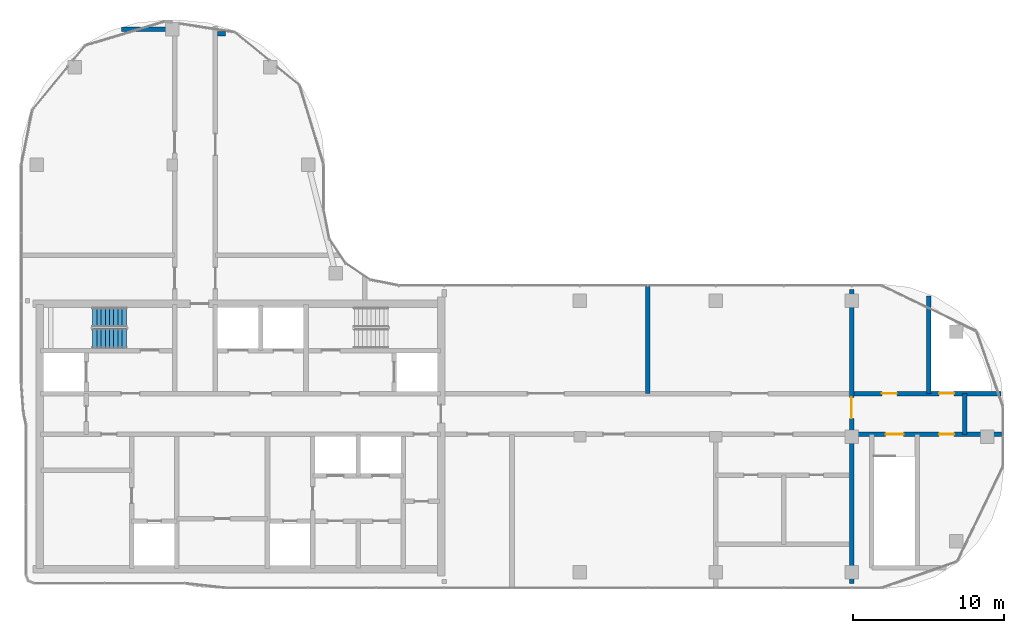
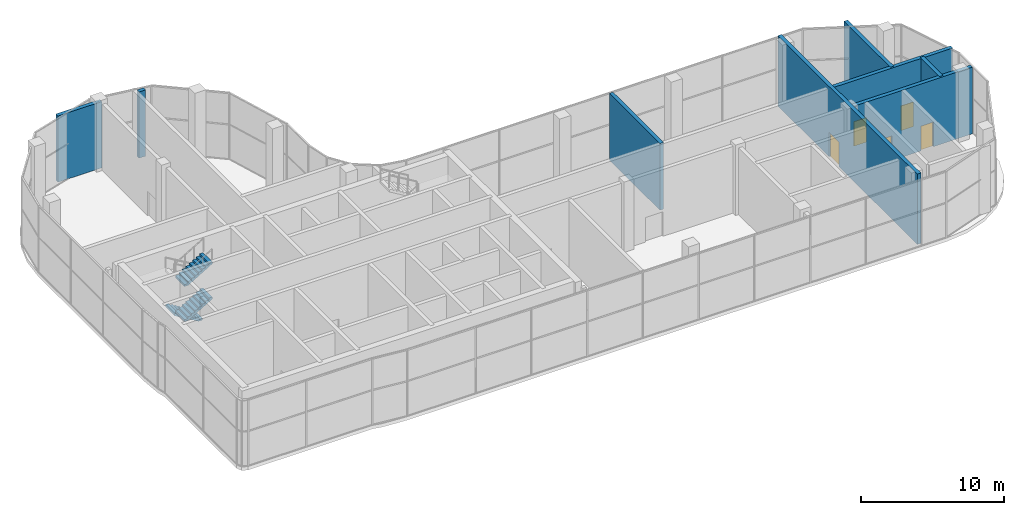
# One storey, part 18 of 21: 8 walls, 5 doors, 3 stair flights, 5 openings, 1 element without a shape of its own.
"""IFC4 building model written with IfcOpenShell, lengths in metres."""

from ifc_helpers import new_model, si_unit, direction, frame, frame_2d, origin, place, context, subcontext, project, spatial, rectangle, extrude, triangles, source, transform, mapped, material, layer, layer_set, type_object, element, fill, aggregate, save


model = new_model("IFC4")

# Units and contexts
model_context = context("Model", 3, precision=1e-05, world=origin(), true_north=direction((0.0, 1.0)))
body_context = subcontext(model_context, "Body", "Model", "MODEL_VIEW")
ifc_project = project(units=[si_unit("LENGTHUNIT", "METRE"), si_unit("AREAUNIT", "SQUARE_METRE"), si_unit("VOLUMEUNIT", "CUBIC_METRE"), si_unit("PLANEANGLEUNIT", "RADIAN"), si_unit("MASSUNIT", "GRAM", prefix="KILO")], contexts=[model_context])

# Site, building, storey
site_placement = place(None, origin())
site = spatial("IfcSite", under=ifc_project, at=site_placement, CompositionType="ELEMENT")
building_placement = place(site_placement, origin())
building = spatial("IfcBuilding", under=site, at=building_placement, Name="Ogive Portal Towers", CompositionType="ELEMENT")
storey_placement = place(building_placement, frame((0.0, 0.0, 266.89990234375)))
storey = spatial("IfcBuildingStorey", under=building, at=storey_placement, Name="L65", CompositionType="ELEMENT", Elevation=266.89990234375)

# Wall, opening, door
ifc_material_1 = material(Name="Concrete C60/75", Category="concrete")
ifc_layer_1 = layer(ifc_material_1, 0.300048828125)
ifc_layer_set_1 = layer_set([ifc_layer_1], Name="REVEAL WALL 300 C60")
wall_type_1 = type_object("IfcWallType", Name="REVEAL WALL 300 C60", PredefinedType="SHEAR", material=ifc_layer_set_1)
wall_1_placement = place(storey_placement, frame((85.5, 20.75, 0.0), z_axis=(0.0, 0.0, 1.0), x_axis=(0.0, 1.0, 0.0)))
wall_1 = element("IfcWall", 1, at=wall_1_placement, inside=storey, type_object=wall_type_1, Name="Portal reveal wall L65", PredefinedType="SHEAR", context=body_context, shape_type="SweptSolid", body=[
    extrude(rectangle(XDim=19.5, YDim=0.300048828125, at=frame_2d((9.75, 0.0))), origin(), (0.0, 0.0, 1.0), 6.0),
])
opening_1_placement = place(wall_1_placement, frame((10.949951171875, 0.0, 0.0)))
opening_1 = element("IfcOpeningElement", 2, at=opening_1_placement, cuts=wall_1, Name="Opening D31-041", PredefinedType="OPENING", context=body_context, shape_type="SweptSolid", body=[
    extrude(rectangle(XDim=1.39990234375, YDim=2.10009765625, at=frame_2d((0.699951171875, 1.050048828125))), frame((0.0, 0.16015625, 0.0), z_axis=(0.0, -1.0, 0.0), x_axis=(1.0, 0.0, 0.0)), (0.0, 0.0, 1.0), 0.320068359375),
])
ifc_material_2 = material(Name="Steel fire door", Category="steel")
door_type_1 = type_object("IfcDoorType", Name="DT-STAIR-1400x2100-FD90S", OperationType="SINGLE_SWING_LEFT", PredefinedType="DOOR", material=ifc_material_2)
door_1_placement = place(opening_1_placement, origin())
door_1 = element("IfcDoor", 3, at=door_1_placement, inside=storey, type_object=door_type_1, Name="Door D31-041", OperationType="SINGLE_SWING_RIGHT", OverallHeight=2.10009765625, OverallWidth=1.39990234375, PredefinedType="DOOR", context=body_context, shape_type="SweptSolid", body=[
    extrude(rectangle(XDim=1.39990234375, YDim=2.10009765625, at=frame_2d((0.699951171875, 1.050048828125))), frame((0.0, 0.02490234375, 0.0), z_axis=(0.0, -1.0, 0.0), x_axis=(1.0, 0.0, 0.0)), (0.0, 0.0, 1.0), 0.050048828125),
])
fill(opening_1, door_1)

# Wall, openings, doors
ifc_material_3 = material(Name="Gypsum board partition on steel studs", Category="steel")
ifc_layer_2 = layer(ifc_material_3, 0.300048828125)
ifc_layer_set_2 = layer_set([ifc_layer_2], Name="WT-PART-300-EI 120")
wall_type_2 = type_object("IfcWallType", Name="WT-PART-300-EI 120", PredefinedType="PARTITIONING", material=ifc_layer_set_2)
wall_2_placement = place(storey_placement, frame((85.669921875, 33.35009765625, 0.0), z_axis=(0.0, 0.0, 1.0), x_axis=(1.0, 0.0, 0.0)))
wall_2 = element("IfcWall", 4, at=wall_2_placement, inside=storey, type_object=wall_type_2, Name="Wall L65:w007", PredefinedType="PARTITIONING", context=body_context, shape_type="SweptSolid", body=[
    extrude(rectangle(XDim=9.72412109375, YDim=0.300048828125, at=frame_2d((4.862060546875, 0.0))), origin(), (0.0, 0.0, 1.0), 5.7001953125),
])
opening_2_placement = place(wall_2_placement, frame((1.830078125, 0.0, 0.0)))
opening_2 = element("IfcOpeningElement", 5, at=opening_2_placement, cuts=wall_2, Name="Opening D31-038", PredefinedType="OPENING", context=body_context, shape_type="SweptSolid", body=[
    extrude(rectangle(XDim=1.0, YDim=2.10009765625, at=frame_2d((0.5, 1.050048828125))), frame((0.0, 0.16015625, 0.0), z_axis=(0.0, -1.0, 0.0), x_axis=(1.0, 0.0, 0.0)), (0.0, 0.0, 1.0), 0.320068359375),
])
opening_3_placement = place(wall_2_placement, frame((5.6298828125, 0.0, 0.0)))
opening_3 = element("IfcOpeningElement", 6, at=opening_3_placement, cuts=wall_2, Name="Opening D31-039", PredefinedType="OPENING", context=body_context, shape_type="SweptSolid", body=[
    extrude(rectangle(XDim=1.0, YDim=2.10009765625, at=frame_2d((0.5, 1.050048828125))), frame((0.0, 0.16015625, 0.0), z_axis=(0.0, -1.0, 0.0), x_axis=(1.0, 0.0, 0.0)), (0.0, 0.0, 1.0), 0.320068359375),
])
door_type_2 = type_object("IfcDoorType", Name="DT-SERVICE-1000x2100-FD90S", OperationType="SINGLE_SWING_LEFT", PredefinedType="DOOR", material=ifc_material_2)
door_2_placement = place(opening_2_placement, origin())
door_2 = element("IfcDoor", 7, at=door_2_placement, inside=storey, type_object=door_type_2, Name="Door D31-038", OperationType="SINGLE_SWING_LEFT", OverallHeight=2.10009765625, OverallWidth=1.0, PredefinedType="DOOR", context=body_context, shape_type="SweptSolid", body=[
    extrude(rectangle(XDim=1.0, YDim=2.10009765625, at=frame_2d((0.5, 1.050048828125))), frame((0.0, 0.02490234375, 0.0), z_axis=(0.0, -1.0, 0.0), x_axis=(1.0, 0.0, 0.0)), (0.0, 0.0, 1.0), 0.050048828125),
])
fill(opening_2, door_2)
door_3_placement = place(opening_3_placement, origin())
door_3 = element("IfcDoor", 8, at=door_3_placement, inside=storey, type_object=door_type_2, Name="Riser access door D31-039", OperationType="SINGLE_SWING_RIGHT", OverallHeight=2.10009765625, OverallWidth=1.0, PredefinedType="DOOR", context=body_context, shape_type="SweptSolid", body=[
    extrude(rectangle(XDim=1.0, YDim=2.10009765625, at=frame_2d((0.5, 1.050048828125))), frame((0.0, 0.02490234375, 0.0), z_axis=(0.0, -1.0, 0.0), x_axis=(1.0, 0.0, 0.0)), (0.0, 0.0, 1.0), 0.050048828125),
])
fill(opening_3, door_3)

# Walls
wall_3_placement = place(storey_placement, frame((93.0, 30.64990234375, 0.0), z_axis=(0.0, 0.0, 1.0), x_axis=(0.0, 1.0, 0.0)))
element("IfcWall", 9, at=wall_3_placement, inside=storey, type_object=wall_type_2, Name="Wall L65:w025", PredefinedType="PARTITIONING", context=body_context, shape_type="SweptSolid", body=[
    extrude(rectangle(XDim=2.7001953125, YDim=0.300048828125, at=frame_2d((1.35009765625, 0.0))), origin(), (0.0, 0.0, 1.0), 5.7001953125),
])
ifc_layer_3 = layer(ifc_material_3, 0.300048828125)
ifc_layer_set_3 = layer_set([ifc_layer_3], Name="WT-PART-300-EI 60")
wall_type_3 = type_object("IfcWallType", Name="WT-PART-300-EI 60", PredefinedType="PARTITIONING", material=ifc_layer_set_3)
wall_4_placement = place(storey_placement, frame((43.498046875, 57.199951171875, 0.0), z_axis=(0.0, 0.0, 1.0), x_axis=(1.0, 0.0, 0.0)))
element("IfcWall", 10, at=wall_4_placement, inside=storey, type_object=wall_type_3, Name="Wall L65:w011", PredefinedType="PARTITIONING", context=body_context, shape_type="SweptSolid", body=[
    extrude(rectangle(XDim=0.52783203125, YDim=0.300048828125, at=frame_2d((0.263916015625, 0.0))), origin(), (0.0, 0.0, 1.0), 5.650146484375),
])
wall_5_placement = place(storey_placement, frame((37.112060546875, 57.5, 0.0), z_axis=(0.0, 0.0, 1.0), x_axis=(1.0, 0.0, 0.0)))
element("IfcWall", 11, at=wall_5_placement, inside=storey, type_object=wall_type_3, Name="Wall L65:w012", PredefinedType="PARTITIONING", context=body_context, shape_type="SweptSolid", body=[
    extrude(rectangle(XDim=3.537841796875, YDim=0.300048828125, at=frame_2d((1.76904296875, 0.0))), origin(), (0.0, 0.0, 1.0), 5.650146484375),
])
wall_6_placement = place(storey_placement, frame((72.0, 33.35009765625, 0.0), z_axis=(0.0, 0.0, 1.0), x_axis=(0.0, 1.0, 0.0)))
element("IfcWall", 12, at=wall_6_placement, inside=storey, type_object=wall_type_3, Name="Wall L65:w019", PredefinedType="PARTITIONING", context=body_context, shape_type="SweptSolid", body=[
    extrude(rectangle(XDim=7.079833984375, YDim=0.300048828125, at=frame_2d((3.5400390625, 0.0))), origin(), (0.0, 0.0, 1.0), 5.7001953125),
])
wall_7_placement = place(storey_placement, frame((90.60009765625, 33.35009765625, 0.0), z_axis=(0.0, 0.0, 1.0), x_axis=(0.0, 1.0, 0.0)))
element("IfcWall", 13, at=wall_7_placement, inside=storey, type_object=wall_type_3, Name="Wall L65:w024", PredefinedType="PARTITIONING", context=body_context, shape_type="SweptSolid", body=[
    extrude(rectangle(XDim=6.476806640625, YDim=0.300048828125, at=frame_2d((3.23828125, 0.0))), origin(), (0.0, 0.0, 1.0), 5.7001953125),
])

# Wall, openings, doors
ifc_material_4 = material(Name="Concrete C40/50", Category="concrete")
ifc_layer_4 = layer(ifc_material_4, 0.300048828125)
ifc_layer_set_4 = layer_set([ifc_layer_4], Name="WT-SHAFT-300")
wall_type_4 = type_object("IfcWallType", Name="WT-SHAFT-300", PredefinedType="SOLIDWALL", material=ifc_layer_set_4)
wall_8_placement = place(storey_placement, frame((85.669921875, 30.64990234375, 0.0), z_axis=(0.0, 0.0, 1.0), x_axis=(1.0, 0.0, 0.0)))
wall_8 = element("IfcWall", 14, at=wall_8_placement, inside=storey, type_object=wall_type_4, Name="Wall L65:w005", PredefinedType="SOLIDWALL", context=body_context, shape_type="SweptSolid", body=[
    extrude(rectangle(XDim=9.760009765625, YDim=0.300048828125, at=frame_2d((4.8798828125, 0.0))), origin(), (0.0, 0.0, 1.0), 5.7001953125),
])
opening_4_placement = place(wall_8_placement, frame((2.080078125, 0.0, 0.0)))
opening_4 = element("IfcOpeningElement", 15, at=opening_4_placement, cuts=wall_8, Name="Opening D31-037", PredefinedType="OPENING", context=body_context, shape_type="SweptSolid", body=[
    extrude(rectangle(XDim=1.199951171875, YDim=2.10009765625, at=frame_2d((0.60009765625, 1.050048828125))), frame((0.0, 0.16015625, 0.0), z_axis=(0.0, -1.0, 0.0), x_axis=(1.0, 0.0, 0.0)), (0.0, 0.0, 1.0), 0.320068359375),
])
opening_5_placement = place(wall_8_placement, frame((5.6298828125, 0.0, 0.0)))
opening_5 = element("IfcOpeningElement", 16, at=opening_5_placement, cuts=wall_8, Name="Opening D31-040", PredefinedType="OPENING", context=body_context, shape_type="SweptSolid", body=[
    extrude(rectangle(XDim=1.0, YDim=2.10009765625, at=frame_2d((0.5, 1.050048828125))), frame((0.0, 0.16015625, 0.0), z_axis=(0.0, -1.0, 0.0), x_axis=(1.0, 0.0, 0.0)), (0.0, 0.0, 1.0), 0.320068359375),
])
door_4_placement = place(opening_5_placement, origin())
door_4 = element("IfcDoor", 17, at=door_4_placement, inside=storey, type_object=door_type_2, Name="Door D31-040", OperationType="SINGLE_SWING_LEFT", OverallHeight=2.10009765625, OverallWidth=1.0, PredefinedType="DOOR", context=body_context, shape_type="SweptSolid", body=[
    extrude(rectangle(XDim=1.0, YDim=2.10009765625, at=frame_2d((0.5, 1.050048828125))), frame((0.0, 0.02490234375, 0.0), z_axis=(0.0, -1.0, 0.0), x_axis=(1.0, 0.0, 0.0)), (0.0, 0.0, 1.0), 0.050048828125),
])
fill(opening_5, door_4)
door_type_3 = type_object("IfcDoorType", Name="DT-STAIR-1200x2100-FD90S", OperationType="SINGLE_SWING_LEFT", PredefinedType="DOOR", material=ifc_material_2)
door_5_placement = place(opening_4_placement, origin())
door_5 = element("IfcDoor", 18, at=door_5_placement, inside=storey, type_object=door_type_3, Name="Door D31-037", OperationType="SINGLE_SWING_LEFT", OverallHeight=2.10009765625, OverallWidth=1.199951171875, PredefinedType="DOOR", context=body_context, shape_type="SweptSolid", body=[
    extrude(rectangle(XDim=1.199951171875, YDim=2.10009765625, at=frame_2d((0.60009765625, 1.050048828125))), frame((0.0, 0.02490234375, 0.0), z_axis=(0.0, -1.0, 0.0), x_axis=(1.0, 0.0, 0.0)), (0.0, 0.0, 1.0), 0.050048828125),
])
fill(opening_4, door_5)

# Stair, stair flights
stair_type = type_object("IfcStairType", Name="INT-STAIR", PredefinedType="HALF_TURN_STAIR", material=ifc_material_4)
stair_placement = place(storey_placement, origin())
stair = element("IfcStair", 19, at=stair_placement, inside=storey, type_object=stair_type, Name="L65 Exit Stair ST-A1", PredefinedType="HALF_TURN_STAIR")
stair_flight_type = type_object("IfcStairFlightType", Name="INT-FLIGHT", PredefinedType="STRAIGHT", material=ifc_material_4)
shared_shape = source(origin(), body_context, "Body", "Tessellation", [
    triangles([(0.0, -0.650146484375, 0.0), (0.0, -0.376220703125, 0.0), (0.0, -0.192626953125, 0.0), (0.0, -0.081298828125, 0.0), (0.0, -0.024169921875, 0.0), (0.0, -0.003173828125, 0.0), (0.0, 0.0, 0.0), (0.0, 0.0029296875, 0.0), (0.0, 0.02392578125, 0.0), (0.0, 0.0810546875, 0.0), (0.0, 0.1923828125, 0.0), (0.0, 0.3759765625, 0.0), (0.0, 0.64990234375, 0.0), (0.0, -0.650146484375, 0.166748046875), (0.0, -0.376220703125, 0.166748046875), (0.0, -0.192626953125, 0.166748046875), (0.0, -0.081298828125, 0.166748046875), (0.0, -0.024169921875, 0.166748046875), (0.0, -0.003173828125, 0.166748046875), (0.0, 0.0, 0.166748046875), (0.0, 0.0029296875, 0.166748046875), (0.0, 0.02392578125, 0.166748046875), (0.0, 0.0810546875, 0.166748046875), (0.0, 0.1923828125, 0.166748046875), (0.0, 0.3759765625, 0.166748046875), (0.0, 0.64990234375, 0.166748046875), (0.280029296875, -0.650146484375, 0.166748046875), (0.280029296875, -0.376220703125, 0.166748046875), (0.280029296875, -0.192626953125, 0.166748046875), (0.280029296875, -0.081298828125, 0.166748046875), (0.280029296875, -0.024169921875, 0.166748046875), (0.280029296875, -0.003173828125, 0.166748046875), (0.280029296875, 0.0, 0.166748046875), (0.280029296875, 0.0029296875, 0.166748046875), (0.280029296875, 0.02392578125, 0.166748046875), (0.280029296875, 0.0810546875, 0.166748046875), (0.280029296875, 0.1923828125, 0.166748046875), (0.280029296875, 0.3759765625, 0.166748046875), (0.280029296875, 0.64990234375, 0.166748046875), (0.280029296875, -0.650146484375, 0.333251953125), (0.280029296875, -0.376220703125, 0.333251953125), (0.280029296875, -0.192626953125, 0.333251953125), (0.280029296875, -0.081298828125, 0.333251953125), (0.280029296875, -0.024169921875, 0.333251953125), (0.280029296875, -0.003173828125, 0.333251953125), (0.280029296875, 0.0, 0.333251953125), (0.280029296875, 0.0029296875, 0.333251953125), (0.280029296875, 0.02392578125, 0.333251953125), (0.280029296875, 0.0810546875, 0.333251953125), (0.280029296875, 0.1923828125, 0.333251953125), (0.280029296875, 0.3759765625, 0.333251953125), (0.280029296875, 0.64990234375, 0.333251953125), (0.56005859375, -0.650146484375, 0.333251953125), (0.56005859375, -0.376220703125, 0.333251953125), (0.56005859375, -0.192626953125, 0.333251953125), (0.56005859375, -0.081298828125, 0.333251953125), (0.56005859375, -0.024169921875, 0.333251953125), (0.56005859375, -0.003173828125, 0.333251953125), (0.56005859375, 0.0, 0.333251953125), (0.56005859375, 0.0029296875, 0.333251953125), (0.56005859375, 0.02392578125, 0.333251953125), (0.56005859375, 0.0810546875, 0.333251953125), (0.56005859375, 0.1923828125, 0.333251953125), (0.56005859375, 0.3759765625, 0.333251953125), (0.56005859375, 0.64990234375, 0.333251953125), (0.56005859375, -0.650146484375, 0.5), (0.56005859375, -0.376220703125, 0.5), (0.56005859375, -0.192626953125, 0.5), (0.56005859375, -0.081298828125, 0.5), (0.56005859375, -0.024169921875, 0.5), (0.56005859375, -0.003173828125, 0.5), (0.56005859375, 0.0, 0.5), (0.56005859375, 0.0029296875, 0.5), (0.56005859375, 0.02392578125, 0.5), (0.56005859375, 0.0810546875, 0.5), (0.56005859375, 0.1923828125, 0.5), (0.56005859375, 0.3759765625, 0.5), (0.56005859375, 0.64990234375, 0.5), (0.840087890625, -0.650146484375, 0.5), (0.840087890625, -0.376220703125, 0.5), (0.840087890625, -0.192626953125, 0.5), (0.840087890625, -0.081298828125, 0.5), (0.840087890625, -0.024169921875, 0.5), (0.840087890625, -0.003173828125, 0.5), (0.840087890625, 0.0, 0.5), (0.840087890625, 0.0029296875, 0.5), (0.840087890625, 0.02392578125, 0.5), (0.840087890625, 0.0810546875, 0.5), (0.840087890625, 0.1923828125, 0.5), (0.840087890625, 0.3759765625, 0.5), (0.840087890625, 0.64990234375, 0.5), (0.840087890625, -0.650146484375, 0.666748046875), (0.840087890625, -0.376220703125, 0.666748046875), (0.840087890625, -0.192626953125, 0.666748046875), (0.840087890625, -0.081298828125, 0.666748046875), (0.840087890625, -0.024169921875, 0.666748046875), (0.840087890625, -0.003173828125, 0.666748046875), (0.840087890625, 0.0, 0.666748046875), (0.840087890625, 0.0029296875, 0.666748046875), (0.840087890625, 0.02392578125, 0.666748046875), (0.840087890625, 0.0810546875, 0.666748046875), (0.840087890625, 0.1923828125, 0.666748046875), (0.840087890625, 0.3759765625, 0.666748046875), (0.840087890625, 0.64990234375, 0.666748046875), (1.1201171875, -0.650146484375, 0.666748046875), (1.1201171875, -0.376220703125, 0.666748046875), (1.1201171875, -0.192626953125, 0.666748046875), (1.1201171875, -0.081298828125, 0.666748046875), (1.1201171875, -0.024169921875, 0.666748046875), (1.1201171875, -0.003173828125, 0.666748046875), (1.1201171875, 0.0, 0.666748046875), (1.1201171875, 0.0029296875, 0.666748046875), (1.1201171875, 0.02392578125, 0.666748046875), (1.1201171875, 0.0810546875, 0.666748046875), (1.1201171875, 0.1923828125, 0.666748046875), (1.1201171875, 0.3759765625, 0.666748046875), (1.1201171875, 0.64990234375, 0.666748046875), (1.1201171875, -0.650146484375, 0.833251953125), (1.1201171875, -0.376220703125, 0.833251953125), (1.1201171875, -0.192626953125, 0.833251953125), (1.1201171875, -0.081298828125, 0.833251953125), (1.1201171875, -0.024169921875, 0.833251953125), (1.1201171875, -0.003173828125, 0.833251953125), (1.1201171875, 0.0, 0.833251953125), (1.1201171875, 0.0029296875, 0.833251953125), (1.1201171875, 0.02392578125, 0.833251953125), (1.1201171875, 0.0810546875, 0.833251953125), (1.1201171875, 0.1923828125, 0.833251953125), (1.1201171875, 0.3759765625, 0.833251953125), (1.1201171875, 0.64990234375, 0.833251953125), (1.39990234375, -0.650146484375, 0.833251953125), (1.39990234375, -0.376220703125, 0.833251953125), (1.39990234375, -0.192626953125, 0.833251953125), (1.39990234375, -0.081298828125, 0.833251953125), (1.39990234375, -0.024169921875, 0.833251953125), (1.39990234375, -0.003173828125, 0.833251953125), (1.39990234375, 0.0, 0.833251953125), (1.39990234375, 0.0029296875, 0.833251953125), (1.39990234375, 0.02392578125, 0.833251953125), (1.39990234375, 0.0810546875, 0.833251953125), (1.39990234375, 0.1923828125, 0.833251953125), (1.39990234375, 0.3759765625, 0.833251953125), (1.39990234375, 0.64990234375, 0.833251953125), (1.39990234375, -0.650146484375, 1.0), (1.39990234375, -0.376220703125, 1.0), (1.39990234375, -0.192626953125, 1.0), (1.39990234375, -0.081298828125, 1.0), (1.39990234375, -0.024169921875, 1.0), (1.39990234375, -0.003173828125, 1.0), (1.39990234375, 0.0, 1.0), (1.39990234375, 0.0029296875, 1.0), (1.39990234375, 0.02392578125, 1.0), (1.39990234375, 0.0810546875, 1.0), (1.39990234375, 0.1923828125, 1.0), (1.39990234375, 0.3759765625, 1.0), (1.39990234375, 0.64990234375, 1.0), (1.679931640625, -0.650146484375, 1.0), (1.679931640625, -0.376220703125, 1.0), (1.679931640625, -0.192626953125, 1.0), (1.679931640625, -0.081298828125, 1.0), (1.679931640625, -0.024169921875, 1.0), (1.679931640625, -0.003173828125, 1.0), (1.679931640625, 0.0, 1.0), (1.679931640625, 0.0029296875, 1.0), (1.679931640625, 0.02392578125, 1.0), (1.679931640625, 0.0810546875, 1.0), (1.679931640625, 0.1923828125, 1.0), (1.679931640625, 0.3759765625, 1.0), (1.679931640625, 0.64990234375, 1.0), (1.679931640625, -0.650146484375, 1.166748046875), (1.679931640625, -0.376220703125, 1.166748046875), (1.679931640625, -0.192626953125, 1.166748046875), (1.679931640625, -0.081298828125, 1.166748046875), (1.679931640625, -0.024169921875, 1.166748046875), (1.679931640625, -0.003173828125, 1.166748046875), (1.679931640625, 0.0, 1.166748046875), (1.679931640625, 0.0029296875, 1.166748046875), (1.679931640625, 0.02392578125, 1.166748046875), (1.679931640625, 0.0810546875, 1.166748046875), (1.679931640625, 0.1923828125, 1.166748046875), (1.679931640625, 0.3759765625, 1.166748046875), (1.679931640625, 0.64990234375, 1.166748046875), (1.9599609375, -0.650146484375, 1.166748046875), (1.9599609375, -0.376220703125, 1.166748046875), (1.9599609375, -0.192626953125, 1.166748046875), (1.9599609375, -0.081298828125, 1.166748046875), (1.9599609375, -0.024169921875, 1.166748046875), (1.9599609375, -0.003173828125, 1.166748046875), (1.9599609375, 0.0, 1.166748046875), (1.9599609375, 0.0029296875, 1.166748046875), (1.9599609375, 0.02392578125, 1.166748046875), (1.9599609375, 0.0810546875, 1.166748046875), (1.9599609375, 0.1923828125, 1.166748046875), (1.9599609375, 0.3759765625, 1.166748046875), (1.9599609375, 0.64990234375, 1.166748046875), (1.9599609375, -0.650146484375, 1.333251953125), (1.9599609375, -0.376220703125, 1.333251953125), (1.9599609375, -0.192626953125, 1.333251953125), (1.9599609375, -0.081298828125, 1.333251953125), (1.9599609375, -0.024169921875, 1.333251953125), (1.9599609375, -0.003173828125, 1.333251953125), (1.9599609375, 0.0, 1.333251953125), (1.9599609375, 0.0029296875, 1.333251953125), (1.9599609375, 0.02392578125, 1.333251953125), (1.9599609375, 0.0810546875, 1.333251953125), (1.9599609375, 0.1923828125, 1.333251953125), (1.9599609375, 0.3759765625, 1.333251953125), (1.9599609375, 0.64990234375, 1.333251953125), (2.239990234375, -0.650146484375, 1.333251953125), (2.239990234375, -0.376220703125, 1.333251953125), (2.239990234375, -0.192626953125, 1.333251953125), (2.239990234375, -0.081298828125, 1.333251953125), (2.239990234375, -0.024169921875, 1.333251953125), (2.239990234375, -0.003173828125, 1.333251953125), (2.239990234375, 0.0, 1.333251953125), (2.239990234375, 0.0029296875, 1.333251953125), (2.239990234375, 0.02392578125, 1.333251953125), (2.239990234375, 0.0810546875, 1.333251953125), (2.239990234375, 0.1923828125, 1.333251953125), (2.239990234375, 0.3759765625, 1.333251953125), (2.239990234375, 0.64990234375, 1.333251953125), (2.239990234375, -0.650146484375, 1.158935546875), (2.239990234375, -0.376220703125, 1.158935546875), (2.239990234375, -0.192626953125, 1.158935546875), (2.239990234375, -0.081298828125, 1.158935546875), (2.239990234375, -0.024169921875, 1.158935546875), (2.239990234375, -0.003173828125, 1.158935546875), (2.239990234375, 0.0, 1.158935546875), (2.239990234375, 0.0029296875, 1.158935546875), (2.239990234375, 0.02392578125, 1.158935546875), (2.239990234375, 0.0810546875, 1.158935546875), (2.239990234375, 0.1923828125, 1.158935546875), (2.239990234375, 0.3759765625, 1.158935546875), (2.239990234375, 0.64990234375, 1.158935546875), (0.29296875, -0.650146484375, 0.0), (0.29296875, -0.376220703125, 0.0), (0.29296875, -0.192626953125, 0.0), (0.29296875, -0.081298828125, 0.0), (0.29296875, -0.024169921875, 0.0), (0.29296875, -0.003173828125, 0.0), (0.29296875, 0.0, 0.0), (0.29296875, 0.0029296875, 0.0), (0.29296875, 0.02392578125, 0.0), (0.29296875, 0.0810546875, 0.0), (0.29296875, 0.1923828125, 0.0), (0.29296875, 0.3759765625, 0.0), (0.29296875, 0.64990234375, 0.0)], [[1, 14, 15], [1, 15, 2], [2, 15, 16], [2, 16, 3], [3, 16, 17], [3, 17, 4], [4, 17, 18], [4, 18, 5], [5, 18, 19], [5, 19, 6], [6, 19, 20], [6, 20, 7], [7, 20, 21], [7, 21, 8], [8, 21, 22], [8, 22, 9], [9, 22, 23], [9, 23, 10], [10, 23, 24], [10, 24, 11], [11, 24, 25], [11, 25, 12], [12, 25, 26], [12, 26, 13], [14, 27, 28], [14, 28, 15], [15, 28, 29], [15, 29, 16], [16, 29, 30], [16, 30, 17], [17, 30, 31], [17, 31, 18], [18, 31, 32], [18, 32, 19], [19, 32, 33], [19, 33, 20], [20, 33, 34], [20, 34, 21], [21, 34, 35], [21, 35, 22], [22, 35, 36], [22, 36, 23], [23, 36, 37], [23, 37, 24], [24, 37, 38], [24, 38, 25], [25, 38, 39], [25, 39, 26], [27, 40, 41], [27, 41, 28], [28, 41, 42], [28, 42, 29], [29, 42, 43], [29, 43, 30], [30, 43, 44], [30, 44, 31], [31, 44, 45], [31, 45, 32], [32, 45, 46], [32, 46, 33], [33, 46, 47], [33, 47, 34], [34, 47, 48], [34, 48, 35], [35, 48, 49], [35, 49, 36], [36, 49, 50], [36, 50, 37], [37, 50, 51], [37, 51, 38], [38, 51, 52], [38, 52, 39], [40, 53, 54], [40, 54, 41], [41, 54, 55], [41, 55, 42], [42, 55, 56], [42, 56, 43], [43, 56, 57], [43, 57, 44], [44, 57, 58], [44, 58, 45], [45, 58, 59], [45, 59, 46], [46, 59, 60], [46, 60, 47], [47, 60, 61], [47, 61, 48], [48, 61, 62], [48, 62, 49], [49, 62, 63], [49, 63, 50], [50, 63, 64], [50, 64, 51], [51, 64, 65], [51, 65, 52], [53, 66, 67], [53, 67, 54], [54, 67, 68], [54, 68, 55], [55, 68, 69], [55, 69, 56], [56, 69, 70], [56, 70, 57], [57, 70, 71], [57, 71, 58], [58, 71, 72], [58, 72, 59], [59, 72, 73], [59, 73, 60], [60, 73, 74], [60, 74, 61], [61, 74, 75], [61, 75, 62], [62, 75, 76], [62, 76, 63], [63, 76, 77], [63, 77, 64], [64, 77, 78], [64, 78, 65], [66, 79, 80], [66, 80, 67], [67, 80, 81], [67, 81, 68], [68, 81, 82], [68, 82, 69], [69, 82, 83], [69, 83, 70], [70, 83, 84], [70, 84, 71], [71, 84, 85], [71, 85, 72], [72, 85, 86], [72, 86, 73], [73, 86, 87], [73, 87, 74], [74, 87, 88], [74, 88, 75], [75, 88, 89], [75, 89, 76], [76, 89, 90], [76, 90, 77], [77, 90, 91], [77, 91, 78], [79, 92, 93], [79, 93, 80], [80, 93, 94], [80, 94, 81], [81, 94, 95], [81, 95, 82], [82, 95, 96], [82, 96, 83], [83, 96, 97], [83, 97, 84], [84, 97, 98], [84, 98, 85], [85, 98, 99], [85, 99, 86], [86, 99, 100], [86, 100, 87], [87, 100, 101], [87, 101, 88], [88, 101, 102], [88, 102, 89], [89, 102, 103], [89, 103, 90], [90, 103, 104], [90, 104, 91], [92, 105, 106], [92, 106, 93], [93, 106, 107], [93, 107, 94], [94, 107, 108], [94, 108, 95], [95, 108, 109], [95, 109, 96], [96, 109, 110], [96, 110, 97], [97, 110, 111], [97, 111, 98], [98, 111, 112], [98, 112, 99], [99, 112, 113], [99, 113, 100], [100, 113, 114], [100, 114, 101], [101, 114, 115], [101, 115, 102], [102, 115, 116], [102, 116, 103], [103, 116, 117], [103, 117, 104], [105, 118, 119], [105, 119, 106], [106, 119, 120], [106, 120, 107], [107, 120, 121], [107, 121, 108], [108, 121, 122], [108, 122, 109], [109, 122, 123], [109, 123, 110], [110, 123, 124], [110, 124, 111], [111, 124, 125], [111, 125, 112], [112, 125, 126], [112, 126, 113], [113, 126, 127], [113, 127, 114], [114, 127, 128], [114, 128, 115], [115, 128, 129], [115, 129, 116], [116, 129, 130], [116, 130, 117], [118, 131, 132], [118, 132, 119], [119, 132, 133], [119, 133, 120], [120, 133, 134], [120, 134, 121], [121, 134, 135], [121, 135, 122], [122, 135, 136], [122, 136, 123], [123, 136, 137], [123, 137, 124], [124, 137, 138], [124, 138, 125], [125, 138, 139], [125, 139, 126], [126, 139, 140], [126, 140, 127], [127, 140, 141], [127, 141, 128], [128, 141, 142], [128, 142, 129], [129, 142, 143], [129, 143, 130], [131, 144, 145], [131, 145, 132], [132, 145, 146], [132, 146, 133], [133, 146, 147], [133, 147, 134], [134, 147, 148], [134, 148, 135], [135, 148, 149], [135, 149, 136], [136, 149, 150], [136, 150, 137], [137, 150, 151], [137, 151, 138], [138, 151, 152], [138, 152, 139], [139, 152, 153], [139, 153, 140], [140, 153, 154], [140, 154, 141], [141, 154, 155], [141, 155, 142], [142, 155, 156], [142, 156, 143], [144, 157, 158], [144, 158, 145], [145, 158, 159], [145, 159, 146], [146, 159, 160], [146, 160, 147], [147, 160, 161], [147, 161, 148], [148, 161, 162], [148, 162, 149], [149, 162, 163], [149, 163, 150], [150, 163, 164], [150, 164, 151], [151, 164, 165], [151, 165, 152], [152, 165, 166], [152, 166, 153], [153, 166, 167], [153, 167, 154], [154, 167, 168], [154, 168, 155], [155, 168, 169], [155, 169, 156], [157, 170, 171], [157, 171, 158], [158, 171, 172], [158, 172, 159], [159, 172, 173], [159, 173, 160], [160, 173, 174], [160, 174, 161], [161, 174, 175], [161, 175, 162], [162, 175, 176], [162, 176, 163], [163, 176, 177], [163, 177, 164], [164, 177, 178], [164, 178, 165], [165, 178, 179], [165, 179, 166], [166, 179, 180], [166, 180, 167], [167, 180, 181], [167, 181, 168], [168, 181, 182], [168, 182, 169], [170, 183, 184], [170, 184, 171], [171, 184, 185], [171, 185, 172], [172, 185, 186], [172, 186, 173], [173, 186, 187], [173, 187, 174], [174, 187, 188], [174, 188, 175], [175, 188, 189], [175, 189, 176], [176, 189, 190], [176, 190, 177], [177, 190, 191], [177, 191, 178], [178, 191, 192], [178, 192, 179], [179, 192, 193], [179, 193, 180], [180, 193, 194], [180, 194, 181], [181, 194, 195], [181, 195, 182], [183, 196, 197], [183, 197, 184], [184, 197, 198], [184, 198, 185], [185, 198, 199], [185, 199, 186], [186, 199, 200], [186, 200, 187], [187, 200, 201], [187, 201, 188], [188, 201, 202], [188, 202, 189], [189, 202, 203], [189, 203, 190], [190, 203, 204], [190, 204, 191], [191, 204, 205], [191, 205, 192], [192, 205, 206], [192, 206, 193], [193, 206, 207], [193, 207, 194], [194, 207, 208], [194, 208, 195], [196, 209, 210], [196, 210, 197], [197, 210, 211], [197, 211, 198], [198, 211, 212], [198, 212, 199], [199, 212, 213], [199, 213, 200], [200, 213, 214], [200, 214, 201], [201, 214, 215], [201, 215, 202], [202, 215, 216], [202, 216, 203], [203, 216, 217], [203, 217, 204], [204, 217, 218], [204, 218, 205], [205, 218, 219], [205, 219, 206], [206, 219, 220], [206, 220, 207], [207, 220, 221], [207, 221, 208], [209, 222, 223], [209, 223, 210], [210, 223, 224], [210, 224, 211], [211, 224, 225], [211, 225, 212], [212, 225, 226], [212, 226, 213], [213, 226, 227], [213, 227, 214], [214, 227, 228], [214, 228, 215], [215, 228, 229], [215, 229, 216], [216, 229, 230], [216, 230, 217], [217, 230, 231], [217, 231, 218], [218, 231, 232], [218, 232, 219], [219, 232, 233], [219, 233, 220], [220, 233, 234], [220, 234, 221], [222, 235, 236], [222, 236, 223], [223, 236, 237], [223, 237, 224], [224, 237, 238], [224, 238, 225], [225, 238, 239], [225, 239, 226], [226, 239, 240], [226, 240, 227], [227, 240, 241], [227, 241, 228], [228, 241, 242], [228, 242, 229], [229, 242, 243], [229, 243, 230], [230, 243, 244], [230, 244, 231], [231, 244, 245], [231, 245, 232], [232, 245, 246], [232, 246, 233], [233, 246, 247], [233, 247, 234], [235, 1, 2], [235, 2, 236], [236, 2, 3], [236, 3, 237], [237, 3, 4], [237, 4, 238], [238, 4, 5], [238, 5, 239], [239, 5, 6], [239, 6, 240], [240, 6, 7], [240, 7, 241], [241, 7, 8], [241, 8, 242], [242, 8, 9], [242, 9, 243], [243, 9, 10], [243, 10, 244], [244, 10, 11], [244, 11, 245], [245, 11, 12], [245, 12, 246], [246, 12, 13], [246, 13, 247], [1, 235, 222], [13, 234, 247], [222, 209, 196], [234, 208, 221], [222, 196, 183], [234, 195, 208], [222, 183, 170], [234, 182, 195], [222, 170, 157], [234, 169, 182], [157, 144, 131], [169, 143, 156], [222, 157, 131], [234, 143, 169], [131, 118, 105], [143, 117, 130], [222, 131, 105], [234, 117, 143], [105, 92, 79], [117, 91, 104], [222, 105, 79], [234, 91, 117], [79, 66, 53], [91, 65, 78], [222, 79, 53], [234, 65, 91], [1, 222, 53], [13, 65, 234], [53, 40, 27], [65, 39, 52], [1, 53, 27], [13, 39, 65], [27, 14, 1], [39, 13, 26]], closed=True),
])
stair_flight_1_placement = place(storey_placement, frame((37.449951171875, 38.39990234375, 0.0), z_axis=(0.0, 0.0, 1.0), x_axis=(-1.0, 0.0, 0.0)))
stair_flight_1 = element("IfcStairFlight", 20, at=stair_flight_1_placement, type_object=stair_flight_type, Name="ST-A1 flight 1", NumberOfRisers=9, NumberOfTreads=8, PredefinedType="STRAIGHT", RiserHeight=0.166666667, TreadLength=0.28, context=body_context, shape_type="MappedRepresentation", body=[
    mapped(shared_shape, transform((0.0, 0.0, 0.0), scale=1.0)),
])
stair_flight_2_placement = place(storey_placement, frame((35.2099609375, 37.0, 1.5), z_axis=(0.0, 0.0, 1.0), x_axis=(1.0, 0.0, 0.0)))
stair_flight_2 = element("IfcStairFlight", 21, at=stair_flight_2_placement, type_object=stair_flight_type, Name="ST-A1 flight 2", NumberOfRisers=9, NumberOfTreads=8, PredefinedType="STRAIGHT", RiserHeight=0.166666667, TreadLength=0.28, context=body_context, shape_type="MappedRepresentation", body=[
    mapped(shared_shape, transform((0.0, 0.0, 0.0), scale=1.0)),
])
stair_flight_3_placement = place(storey_placement, frame((35.2099609375, 37.0, 4.5), z_axis=(0.0, 0.0, 1.0), x_axis=(1.0, 0.0, 0.0)))
stair_flight_3 = element("IfcStairFlight", 22, at=stair_flight_3_placement, type_object=stair_flight_type, Name="ST-A1 flight 4", NumberOfRisers=9, NumberOfTreads=8, PredefinedType="STRAIGHT", RiserHeight=0.166666667, TreadLength=0.28, context=body_context, shape_type="MappedRepresentation", body=[
    mapped(shared_shape, transform((0.0, 0.0, 0.0), scale=1.0)),
])
aggregate(stair, [stair_flight_1, stair_flight_2, stair_flight_3])

save(model, "model.ifc")
